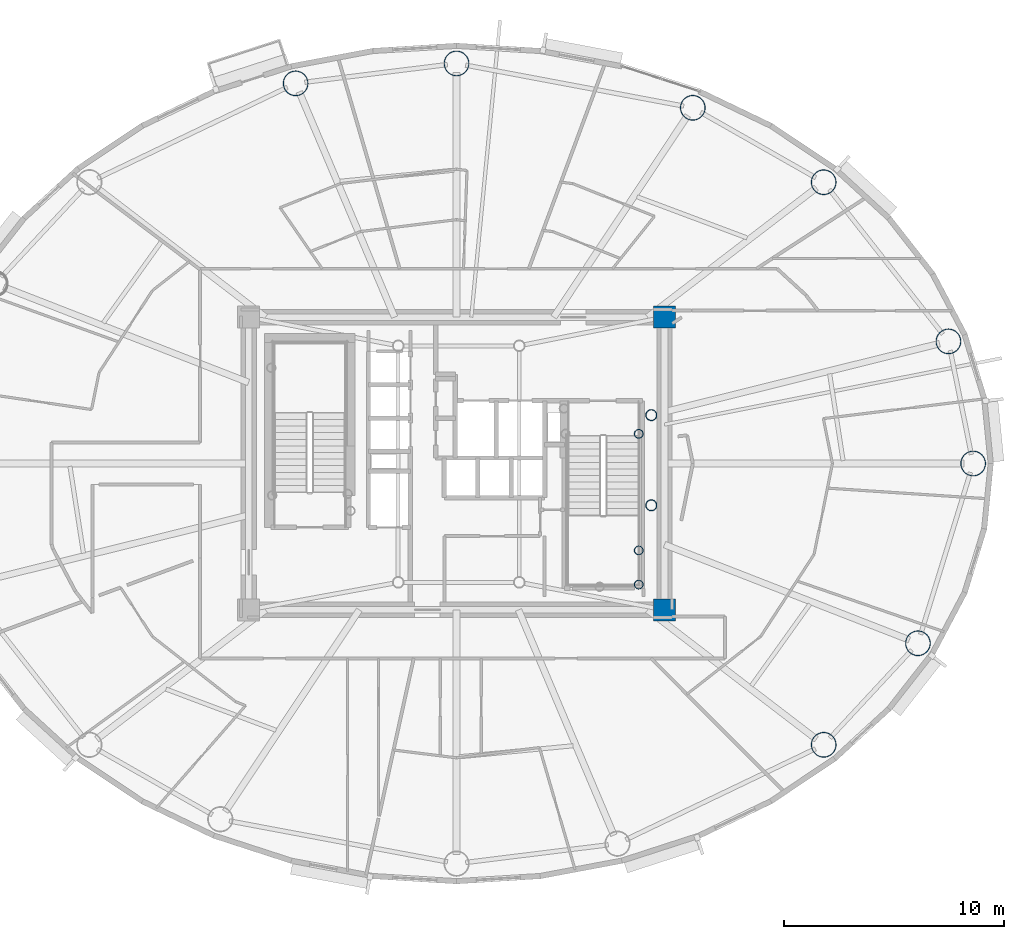
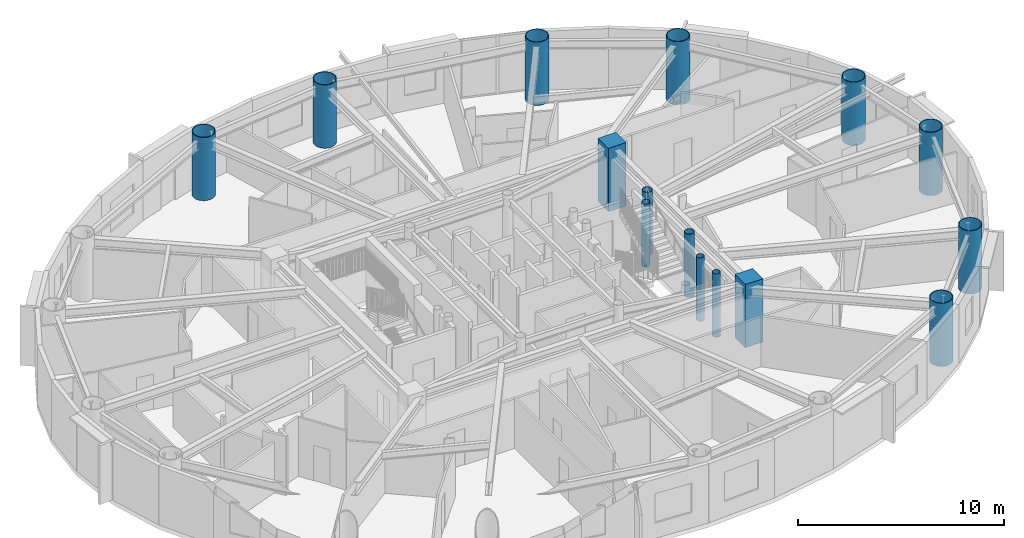
# One storey, part 2 of 19: 15 columns.
"""IFC4 building model written with IfcOpenShell, lengths in metres."""

from ifc_helpers import new_model, si_unit, direction, frame, origin, origin_2d, place, context, subcontext, project, spatial, rectangle, hollow_circle, extrude, material, material_profile, profile_set, type_object, element, save


model = new_model("IFC4")

# Units and contexts
model_context = context("Model", 3, precision=1e-05, world=origin(), true_north=direction((0.0, 1.0)))
body_context = subcontext(model_context, "Body", "Model", "MODEL_VIEW")
ifc_project = project(units=[si_unit("LENGTHUNIT", "METRE"), si_unit("AREAUNIT", "SQUARE_METRE"), si_unit("VOLUMEUNIT", "CUBIC_METRE"), si_unit("PLANEANGLEUNIT", "RADIAN"), si_unit("MASSUNIT", "GRAM", prefix="KILO")], contexts=[model_context])

# Site, building, storey
site_placement = place(None, origin())
site = spatial("IfcSite", under=ifc_project, at=site_placement, CompositionType="ELEMENT")
building_placement = place(site_placement, origin())
building = spatial("IfcBuilding", under=site, at=building_placement, Name="Linh Dai School and Residence Tower", CompositionType="ELEMENT")
storey_placement = place(building_placement, frame((0.0, 0.0, 217.800048828125)))
storey = spatial("IfcBuildingStorey", under=building, at=storey_placement, Name="L53", CompositionType="ELEMENT", Elevation=217.800048828125)

# Columns
ifc_material_1 = material(Name="Concrete B45 (C35/45)", Category="concrete")
ifc_material_profile_1 = material_profile(ifc_material_1, rectangle(XDim=1.0, YDim=1.0, at=origin_2d()), Name="RC 1000x1000")
ifc_profile_set_1 = profile_set([ifc_material_profile_1], Name="Concrete B45 (C35/45)")
column_type_1 = type_object("IfcColumnType", Name="COL-CC3", PredefinedType="COLUMN", material=ifc_profile_set_1)
for number, where, z_axis, x_axis, name in (
    (1, (45.449951171875, 20.35009765625, 0.0), (0.0, 0.0, 1.0), (1.0, 0.0, 0.0), "L53 Core Corner Pier CC2"),
    (2, (45.449951171875, 33.64990234375, 0.0), (0.0, 0.0, 1.0), (1.0, 0.0, 0.0), "L53 Core Corner Pier CC3"),
):
    element("IfcColumn", number, at=place(storey_placement, frame(where, z_axis=z_axis, x_axis=x_axis)), inside=storey, type_object=column_type_1, Name=name, PredefinedType="COLUMN", context=body_context, shape_type="SweptSolid", body=[
        extrude(rectangle(XDim=1.0, YDim=1.0, at=origin_2d()), origin(), (0.0, 0.0, 1.0), 3.75),
    ])
ifc_material_2 = material(Name="Structural Steel S355JR", Category="steel")
ifc_material_profile_2 = material_profile(ifc_material_2, hollow_circle(Radius=0.203125, WallThickness=0.01611328125, at=origin_2d()), Name="CHS 406.4x16")
ifc_profile_set_2 = profile_set([ifc_material_profile_2], Name="Structural Steel S355JR")
column_type_2 = type_object("IfcColumnType", Name="COL-EC", PredefinedType="COLUMN", material=ifc_profile_set_2)
for number, where, z_axis, x_axis, name in (
    (3, (44.280029296875, 21.5, 0.0), (0.0, 0.0, 1.0), (1.0, 0.0, 0.0), "L53 Stair Shaft Landing Support Pier ST2SE"),
    (4, (44.280029296875, 23.050048828125, 0.0), (0.0, 0.0, 1.0), (1.0, 0.0, 0.0), "L53 Stair Shaft Landing Support Pier ST2NE"),
    (5, (44.280029296875, 28.35009765625, 0.0), (0.0, 0.0, 1.0), (1.0, 0.0, 0.0), "L53 Stair Shaft Landing Support Pier ST2N2"),
):
    element("IfcColumn", number, at=place(storey_placement, frame(where, z_axis=z_axis, x_axis=x_axis)), inside=storey, type_object=column_type_2, Name=name, PredefinedType="COLUMN", context=body_context, shape_type="SweptSolid", body=[
        extrude(hollow_circle(Radius=0.203125, WallThickness=0.01611328125, at=origin_2d()), origin(), (0.0, 0.0, 1.0), 3.75),
    ])
ifc_material_profile_3 = material_profile(ifc_material_2, hollow_circle(Radius=0.574951171875, WallThickness=0.035888671875, at=origin_2d()), Name="CHS 1150x36")
ifc_profile_set_3 = profile_set([ifc_material_profile_3], Name="Structural Steel S355JR")
column_type_3 = type_object("IfcColumnType", Name="COL-MC5", PredefinedType="COLUMN", material=ifc_profile_set_3)
for number, where, z_axis, x_axis, name in (
    (6, (59.47509765625, 27.0, 0.0), (0.0, 0.0, 1.0), (1.0, 0.0, 0.0), "L53 Perimeter CFT Mega-Column MC01"),
    (7, (58.351318359375, 32.54931640625, 0.0), (0.0, 0.0, 1.0), (1.0, 0.0, 0.0), "L53 Perimeter CFT Mega-Column MC02"),
    (8, (52.68310546875, 39.781005859375, 0.0), (0.0, 0.0, 1.0), (1.0, 0.0, 0.0), "L53 Perimeter CFT Mega-Column MC03"),
    (9, (46.734619140625, 43.16357421875, 0.0), (0.0, 0.0, 1.0), (1.0, 0.0, 0.0), "L53 Perimeter CFT Mega-Column MC04"),
    (10, (36.0, 45.179931640625, 0.0), (0.0, 0.0, 1.0), (1.0, 0.0, 0.0), "L53 Perimeter CFT Mega-Column MC05"),
    (11, (28.68798828125, 44.2734375, 0.0), (0.0, 0.0, 1.0), (1.0, 0.0, 0.0), "L53 Perimeter CFT Mega-Column MC06"),
    (12, (52.68310546875, 14.218994140625, 0.0), (0.0, 0.0, 1.0), (1.0, 0.0, 0.0), "L53 Perimeter CFT Mega-Column MC15"),
    (13, (56.96533203125, 18.8310546875, 0.0), (0.0, 0.0, 1.0), (1.0, 0.0, 0.0), "L53 Perimeter CFT Mega-Column MC16"),
):
    element("IfcColumn", number, at=place(storey_placement, frame(where, z_axis=z_axis, x_axis=x_axis)), inside=storey, type_object=column_type_3, Name=name, PredefinedType="COLUMN", context=body_context, shape_type="SweptSolid", body=[
        extrude(hollow_circle(Radius=0.574951171875, WallThickness=0.035888671875, at=origin_2d()), origin(), (0.0, 0.0, 1.0), 3.75),
    ])
ifc_material_profile_4 = material_profile(ifc_material_2, hollow_circle(Radius=0.25390625, WallThickness=0.02001953125, at=origin_2d()), Name="CHS 508x20")
ifc_profile_set_4 = profile_set([ifc_material_profile_4], Name="Structural Steel S355JR")
column_type_4 = type_object("IfcColumnType", Name="COL-MCP", PredefinedType="COLUMN", material=ifc_profile_set_4)
for number, where, z_axis, x_axis, name in (
    (14, (44.85009765625, 25.10009765625, 0.0), (0.0, 0.0, 1.0), (1.0, 0.0, 0.0), "L53 Sky-Lounge Core Anchor Pier S"),
    (15, (44.85009765625, 29.199951171875, 0.0), (0.0, 0.0, 1.0), (1.0, 0.0, 0.0), "L53 Sky-Lounge Core Anchor Pier N"),
):
    element("IfcColumn", number, at=place(storey_placement, frame(where, z_axis=z_axis, x_axis=x_axis)), inside=storey, type_object=column_type_4, Name=name, PredefinedType="COLUMN", context=body_context, shape_type="SweptSolid", body=[
        extrude(hollow_circle(Radius=0.25390625, WallThickness=0.02001953125, at=origin_2d()), origin(), (0.0, 0.0, 1.0), 3.75),
    ])

save(model, "model.ifc")
